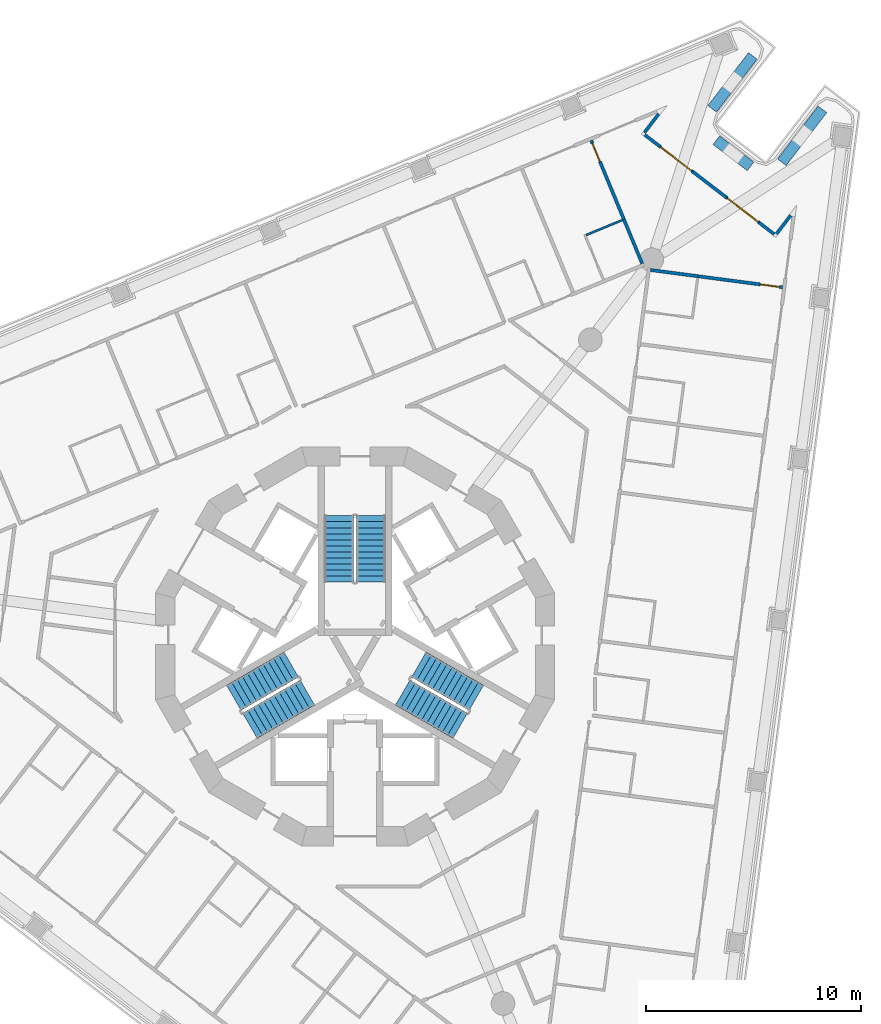
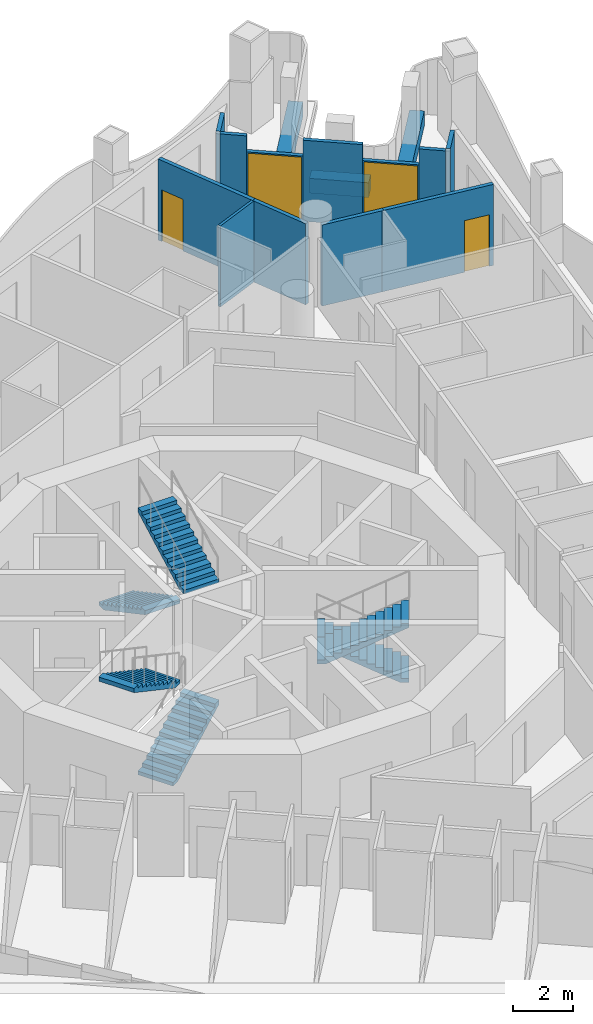
# One storey, part 10 of 17: 15 walls, 6 stair flights, 4 doors, 4 openings, 3 elements without a shape of their own.
"""IFC4 building model written with IfcOpenShell, lengths in metres."""

from ifc_helpers import new_model, si_unit, direction, frame, frame_2d, origin, place, context, subcontext, project, spatial, polyline, rectangle, outline, extrude, material, layer, layer_set, type_object, element, fill, aggregate, save


model = new_model("IFC4")

# Units and contexts
model_context = context("Model", 3, precision=1e-05, world=origin(), true_north=direction((0.0, 1.0)))
body_context = subcontext(model_context, "Body", "Model", "MODEL_VIEW")
ifc_project = project(units=[si_unit("LENGTHUNIT", "METRE"), si_unit("AREAUNIT", "SQUARE_METRE"), si_unit("VOLUMEUNIT", "CUBIC_METRE"), si_unit("PLANEANGLEUNIT", "RADIAN"), si_unit("MASSUNIT", "GRAM", prefix="KILO")], contexts=[model_context])

# Site, building, storey
site_placement = place(None, origin())
site = spatial("IfcSite", under=ifc_project, at=site_placement, CompositionType="ELEMENT")
building_placement = place(site_placement, origin())
building = spatial("IfcBuilding", under=site, at=building_placement, Name="Trine Commons Tower", CompositionType="ELEMENT")
storey_placement = place(building_placement, frame((0.0, 0.0, 149.39990234375)))
storey = spatial("IfcBuildingStorey", under=building, at=storey_placement, Name="L38", CompositionType="ELEMENT", Elevation=149.39990234375)

# Walls
ifc_material_1 = material(Name="Aluminium-framed insulated wall panel", Category="aluminium")
ifc_layer_1 = layer(ifc_material_1, 0.14990234375)
ifc_layer_set_1 = layer_set([ifc_layer_1], Name="Aluminium-framed insulated wall panel")
wall_type_1 = type_object("IfcWallType", Name="Glazed frame wall 150, EI 60", PredefinedType="SOLIDWALL", material=ifc_layer_set_1)
wall_1_placement = place(storey_placement, frame((94.193115234375, 87.345703125, 0.0), z_axis=(0.0, 0.0, 1.0), x_axis=(-0.608762998157, -0.793352136239, 0.0)))
element("IfcWall", 1, at=wall_1_placement, inside=storey, type_object=wall_type_1, Name="Glazed frame wall R5", PredefinedType="SOLIDWALL", context=body_context, shape_type="SweptSolid", body=[
    extrude(outline(polyline([(0.1494140625, 0.074951171875), (0.1494140625, -0.074951171875), (1.235107421875, -0.074951171875), (1.235107421875, 0.074951171875), (0.1494140625, 0.074951171875)])), origin(), (0.0, 0.0, 1.0), 3.300048828125),
])
wall_2_placement = place(storey_placement, frame((93.36767578125, 86.32763671875, 0.0), z_axis=(0.0, 0.0, 1.0), x_axis=(0.793331259853, -0.608790203715, 0.0)))
element("IfcWall", 2, at=wall_2_placement, inside=storey, type_object=wall_type_1, Name="Glazed frame wall P2.1", PredefinedType="SOLIDWALL", context=body_context, shape_type="SweptSolid", body=[
    extrude(outline(polyline([(0.110107421875, -0.074951171875), (1.0, -0.074951171875), (1.0, 0.074951171875), (0.110107421875, 0.074951171875), (0.110107421875, -0.074951171875)])), origin(), (0.0, 0.0, 1.0), 3.300048828125),
])

# Wall, opening, door
wall_3_placement = place(storey_placement, frame((94.1611328125, 85.71875, 0.0), z_axis=(0.0, 0.0, 1.0), x_axis=(0.793382932281, -0.608722862036, 0.0)))
wall_3 = element("IfcWall", 3, at=wall_3_placement, inside=storey, type_object=wall_type_1, Name="Glazed frame wall P2.2", PredefinedType="SOLIDWALL", context=body_context, shape_type="SweptSolid", body=[
    extrude(outline(polyline([(0.0, -0.074951171875), (1.89990234375, -0.074951171875), (1.89990234375, 0.074951171875), (0.0, 0.074951171875), (0.0, -0.074951171875)])), origin(), (0.0, 0.0, 1.0), 2.650146484375),
])
opening_1_placement = place(wall_3_placement, frame((0.050048828125, 0.0, 0.0)))
opening_1 = element("IfcOpeningElement", 4, at=opening_1_placement, cuts=wall_3, Name="Opening BD-4P2-01", PredefinedType="OPENING", context=body_context, shape_type="SweptSolid", body=[
    extrude(rectangle(XDim=1.800048828125, YDim=2.60009765625, at=frame_2d((0.89990234375, 1.300048828125))), frame((0.0, 0.0849609375, 0.0), z_axis=(0.0, -1.0, 0.0), x_axis=(1.0, 0.0, 0.0)), (0.0, 0.0, 1.0), 0.169921875),
])
ifc_material_2 = material(Name="Anodised aluminium frame with double glazing", Category="aluminium")
door_type_1 = type_object("IfcDoorType", Name="Sliding loggia door 1800x2600", OperationType="SLIDING_TO_LEFT", PredefinedType="DOOR", material=ifc_material_2)
door_1_placement = place(opening_1_placement, origin())
door_1 = element("IfcDoor", 5, at=door_1_placement, inside=storey, type_object=door_type_1, Name="Loggia door P2 1", OperationType="SLIDING_TO_LEFT", OverallHeight=2.60009765625, OverallWidth=1.800048828125, PredefinedType="DOOR", context=body_context, shape_type="SweptSolid", body=[
    extrude(rectangle(XDim=1.800048828125, YDim=2.60009765625, at=frame_2d((0.89990234375, 1.300048828125))), frame((0.0, 0.02490234375, 0.0), z_axis=(0.0, -1.0, 0.0), x_axis=(1.0, 0.0, 0.0)), (0.0, 0.0, 1.0), 0.050048828125),
])
fill(opening_1, door_1)

# Wall
wall_4_placement = place(storey_placement, frame((95.66845703125, 84.562255859375, 0.0), z_axis=(0.0, 0.0, 1.0), x_axis=(0.793344974033, -0.608772331974, 0.0)))
element("IfcWall", 6, at=wall_4_placement, inside=storey, type_object=wall_type_1, Name="Glazed frame wall P2.3", PredefinedType="SOLIDWALL", context=body_context, shape_type="SweptSolid", body=[
    extrude(outline(polyline([(0.0, -0.074951171875), (2.0, -0.074951171875), (2.0, 0.074951171875), (0.0, 0.074951171875), (0.0, -0.074951171875)])), origin(), (0.0, 0.0, 1.0), 3.300048828125),
])

# Wall, opening, door
wall_5_placement = place(storey_placement, frame((97.255126953125, 83.3447265625, 0.0), z_axis=(0.0, 0.0, 1.0), x_axis=(0.793320872023, -0.608803740143, 0.0)))
wall_5 = element("IfcWall", 7, at=wall_5_placement, inside=storey, type_object=wall_type_1, Name="Glazed frame wall P2.4", PredefinedType="SOLIDWALL", context=body_context, shape_type="SweptSolid", body=[
    extrude(outline(polyline([(0.0, -0.074951171875), (1.89990234375, -0.074951171875), (1.89990234375, 0.074951171875), (0.0, 0.074951171875), (0.0, -0.074951171875)])), origin(), (0.0, 0.0, 1.0), 2.650146484375),
])
opening_2_placement = place(wall_5_placement, frame((0.050048828125, 0.0, 0.0)))
opening_2 = element("IfcOpeningElement", 8, at=opening_2_placement, cuts=wall_5, Name="Opening BD-4P2-02", PredefinedType="OPENING", context=body_context, shape_type="SweptSolid", body=[
    extrude(rectangle(XDim=1.800048828125, YDim=2.60009765625, at=frame_2d((0.89990234375, 1.300048828125))), frame((0.0, 0.0849609375, 0.0), z_axis=(0.0, -1.0, 0.0), x_axis=(1.0, 0.0, 0.0)), (0.0, 0.0, 1.0), 0.169921875),
])
door_2_placement = place(opening_2_placement, origin())
door_2 = element("IfcDoor", 9, at=door_2_placement, inside=storey, type_object=door_type_1, Name="Loggia door P2 2", OperationType="SLIDING_TO_LEFT", OverallHeight=2.60009765625, OverallWidth=1.800048828125, PredefinedType="DOOR", context=body_context, shape_type="SweptSolid", body=[
    extrude(rectangle(XDim=1.800048828125, YDim=2.60009765625, at=frame_2d((0.89990234375, 1.300048828125))), frame((0.0, 0.02490234375, 0.0), z_axis=(0.0, -1.0, 0.0), x_axis=(1.0, 0.0, 0.0)), (0.0, 0.0, 1.0), 0.050048828125),
])
fill(opening_2, door_2)

# Walls
wall_6_placement = place(storey_placement, frame((98.762451171875, 82.18798828125, 0.0), z_axis=(0.0, 0.0, 1.0), x_axis=(0.793449156962, -0.60863653794, 0.0)))
element("IfcWall", 10, at=wall_6_placement, inside=storey, type_object=wall_type_1, Name="Glazed frame wall P2.5", PredefinedType="SOLIDWALL", context=body_context, shape_type="SweptSolid", body=[
    extrude(outline(polyline([(0.889892578125, 0.074951171875), (0.0, 0.074951171875), (0.0, -0.074951171875), (0.889892578125, -0.074951171875), (0.889892578125, 0.074951171875)])), origin(), (0.0, 0.0, 1.0), 3.300048828125),
])
wall_7_placement = place(storey_placement, frame((99.5068359375, 81.57275390625, 0.0), z_axis=(0.0, 0.0, 1.0), x_axis=(0.608762998157, 0.793352136239, 0.0)))
element("IfcWall", 11, at=wall_7_placement, inside=storey, type_object=wall_type_1, Name="Glazed frame wall R7", PredefinedType="SOLIDWALL", context=body_context, shape_type="SweptSolid", body=[
    extrude(outline(polyline([(0.110107421875, 0.074951171875), (0.110107421875, -0.074951171875), (1.19580078125, -0.074951171875), (1.19580078125, 0.074951171875), (0.110107421875, 0.074951171875)])), origin(), (0.0, 0.0, 1.0), 3.300048828125),
])
ifc_material_3 = material(Name="Planter trough, precast concrete C40/50", Category="concrete")
ifc_layer_2 = layer(ifc_material_3, 0.5)
ifc_layer_set_2 = layer_set([ifc_layer_2], Name="Planter trough, precast concrete C40/50")
wall_type_2 = type_object("IfcWallType", Name="Planter trough 500x600", PredefinedType="PARAPET", material=ifc_layer_set_2)
wall_8_placement = place(storey_placement, frame((98.474609375, 89.927490234375, 0.0), z_axis=(0.0, 0.0, 1.0), x_axis=(-0.608796883945, -0.793326133503, 0.0)))
element("IfcWall", 12, at=wall_8_placement, inside=storey, type_object=wall_type_2, Name="Planter 4", PredefinedType="PARAPET", context=body_context, shape_type="SweptSolid", body=[
    extrude(rectangle(XDim=3.099853515625, YDim=0.5, at=frame_2d((1.5498046875, 0.0))), origin(), (0.0, 0.0, 1.0), 0.60009765625),
])
wall_9_placement = place(storey_placement, frame((96.779296875, 86.010009765625, 0.0), z_axis=(0.0, 0.0, 1.0), x_axis=(0.793390207748, -0.608713379391, 0.0)))
element("IfcWall", 13, at=wall_9_placement, inside=storey, type_object=wall_type_2, Name="Planter 5", PredefinedType="PARAPET", context=body_context, shape_type="SweptSolid", body=[
    extrude(rectangle(XDim=2.000244140625, YDim=0.5, at=frame_2d((1.0, 0.0))), origin(), (0.0, 0.0, 1.0), 0.60009765625),
])
wall_10_placement = place(storey_placement, frame((99.82421875, 84.984619140625, 0.0), z_axis=(0.0, 0.0, 1.0), x_axis=(0.608796883945, 0.793326133503, 0.0)))
element("IfcWall", 14, at=wall_10_placement, inside=storey, type_object=wall_type_2, Name="Planter 6", PredefinedType="PARAPET", context=body_context, shape_type="SweptSolid", body=[
    extrude(rectangle(XDim=3.099853515625, YDim=0.5, at=frame_2d((1.5498046875, 0.0))), origin(), (0.0, 0.0, 1.0), 0.60009765625),
])

# Wall, opening, door
ifc_material_4 = material(Name="Gypsum plasterboard on steel stud", Category="steel")
ifc_layer_3 = layer(ifc_material_4, 0.14990234375)
ifc_layer_set_3 = layer_set([ifc_layer_3], Name="Gypsum plasterboard on steel stud")
wall_type_3 = type_object("IfcWallType", Name="Unit and corridor wall 150 mm, EI 60", PredefinedType="PARTITIONING", material=ifc_layer_set_3)
wall_11_placement = place(storey_placement, frame((90.96826171875, 85.9990234375, 0.0), z_axis=(0.0, 0.0, 1.0), x_axis=(0.382692977479, -0.923875578738, 0.0)))
wall_11 = element("IfcWall", 15, at=wall_11_placement, inside=storey, type_object=wall_type_3, Name="Partition 122", PredefinedType="PARTITIONING", context=body_context, shape_type="SweptSolid", body=[
    extrude(rectangle(XDim=4.023681640625, YDim=0.14990234375, at=frame_2d((2.01171875, 0.0))), origin(), (0.0, 0.0, 1.0), 3.300048828125),
])
opening_3_placement = place(wall_11_placement, frame((0.14990234375, 0.0, 0.0)))
opening_3 = element("IfcOpeningElement", 16, at=opening_3_placement, cuts=wall_11, Name="Opening D-4C13", PredefinedType="OPENING", context=body_context, shape_type="SweptSolid", body=[
    extrude(rectangle(XDim=0.89990234375, YDim=2.10009765625, at=frame_2d((0.449951171875, 1.050048828125))), frame((0.0, 0.0849609375, 0.0), z_axis=(0.0, -1.0, 0.0), x_axis=(1.0, 0.0, 0.0)), (0.0, 0.0, 1.0), 0.169921875),
])
ifc_material_5 = material(Name="Timber fire door set", Category="wood")
door_type_2 = type_object("IfcDoorType", Name="Bedroom door 900 x 2100, FD30S", OperationType="NOTDEFINED", PredefinedType="DOOR", material=ifc_material_5)
door_3_placement = place(opening_3_placement, frame((0.89990234375, 0.0, 0.0), z_axis=(0.0, 0.0, 1.0), x_axis=(-1.0, 0.0, 0.0)))
door_3 = element("IfcDoor", 17, at=door_3_placement, inside=storey, type_object=door_type_2, Name="Door D-4C13", OperationType="SINGLE_SWING_RIGHT", OverallHeight=2.10009765625, OverallWidth=0.89990234375, PredefinedType="DOOR", context=body_context, shape_type="SweptSolid", body=[
    extrude(rectangle(XDim=0.89990234375, YDim=2.10009765625, at=frame_2d((0.449951171875, 1.050048828125))), frame((0.0, 0.02490234375, 0.0), z_axis=(0.0, -1.0, 0.0), x_axis=(1.0, 0.0, 0.0)), (0.0, 0.0, 1.0), 0.050048828125),
])
fill(opening_3, door_3)

# Walls
wall_12_placement = place(storey_placement, frame((92.486083984375, 82.3359375, 0.0), z_axis=(0.0, 0.0, 1.0), x_axis=(0.382374366103, -0.924007491391, 0.0)))
element("IfcWall", 18, at=wall_12_placement, inside=storey, type_object=wall_type_3, Name="Partition 135", PredefinedType="PARTITIONING", context=body_context, shape_type="SweptSolid", body=[
    extrude(rectangle(XDim=2.22900390625, YDim=0.14990234375, at=frame_2d((1.114501953125, 0.0))), origin(), (0.0, 0.0, 1.0), 3.300048828125),
])
wall_13_placement = place(storey_placement, frame((93.718505859375, 79.984130859375, 0.0), z_axis=(0.0, 0.0, 1.0), x_axis=(0.991444602233, -0.130528160577, 0.0)))
element("IfcWall", 19, at=wall_13_placement, inside=storey, type_object=wall_type_3, Name="Partition 146", PredefinedType="PARTITIONING", context=body_context, shape_type="SweptSolid", body=[
    extrude(rectangle(XDim=2.2294921875, YDim=0.14990234375, at=frame_2d((1.11474609375, 0.0))), origin(), (0.0, 0.0, 1.0), 3.300048828125),
])

# Wall, opening, door
wall_14_placement = place(storey_placement, frame((95.871337890625, 79.700439453125, 0.0), z_axis=(0.0, 0.0, 1.0), x_axis=(0.991472672227, -0.130314773632, 0.0)))
wall_14 = element("IfcWall", 20, at=wall_14_placement, inside=storey, type_object=wall_type_3, Name="Partition 151", PredefinedType="PARTITIONING", context=body_context, shape_type="SweptSolid", body=[
    extrude(rectangle(XDim=4.022216796875, YDim=0.14990234375, at=frame_2d((2.01123046875, 0.0))), origin(), (0.0, 0.0, 1.0), 3.300048828125),
])
opening_4_placement = place(wall_14_placement, frame((2.972412109375, 0.0, 0.0)))
opening_4 = element("IfcOpeningElement", 21, at=opening_4_placement, cuts=wall_14, Name="Opening D-4C14", PredefinedType="OPENING", context=body_context, shape_type="SweptSolid", body=[
    extrude(rectangle(XDim=0.89990234375, YDim=2.10009765625, at=frame_2d((0.449951171875, 1.050048828125))), frame((0.0, 0.0849609375, 0.0), z_axis=(0.0, -1.0, 0.0), x_axis=(1.0, 0.0, 0.0)), (0.0, 0.0, 1.0), 0.169921875),
])
door_4_placement = place(opening_4_placement, frame((0.89990234375, 0.0, 0.0), z_axis=(0.0, 0.0, 1.0), x_axis=(-1.0, 0.0, 0.0)))
door_4 = element("IfcDoor", 22, at=door_4_placement, inside=storey, type_object=door_type_2, Name="Door D-4C14", OperationType="SINGLE_SWING_LEFT", OverallHeight=2.10009765625, OverallWidth=0.89990234375, PredefinedType="DOOR", context=body_context, shape_type="SweptSolid", body=[
    extrude(rectangle(XDim=0.89990234375, YDim=2.10009765625, at=frame_2d((0.449951171875, 1.050048828125))), frame((0.0, 0.02490234375, 0.0), z_axis=(0.0, -1.0, 0.0), x_axis=(1.0, 0.0, 0.0)), (0.0, 0.0, 1.0), 0.050048828125),
])
fill(opening_4, door_4)

# Wall
ifc_layer_4 = layer(ifc_material_4, 0.10009765625)
ifc_layer_set_4 = layer_set([ifc_layer_4], Name="Gypsum plasterboard on steel stud")
wall_type_4 = type_object("IfcWallType", Name="Unit partition 100 mm, no rating", PredefinedType="PARTITIONING", material=ifc_layer_set_4)
wall_15_placement = place(storey_placement, frame((90.731201171875, 81.60498046875, 0.0), z_axis=(0.0, 0.0, 1.0), x_axis=(0.923945120737, 0.382525049986, 0.0)))
element("IfcWall", 23, at=wall_15_placement, inside=storey, type_object=wall_type_4, Name="Partition 119", PredefinedType="PARTITIONING", context=body_context, shape_type="SweptSolid", body=[
    extrude(rectangle(XDim=1.825439453125, YDim=0.10009765625, at=frame_2d((0.91259765625, 0.0))), origin(), (0.0, 0.0, 1.0), 3.300048828125),
])

# Stair, stair flights
ifc_material_6 = material(Name="Concrete C50/60", Category="concrete")
stair_type = type_object("IfcStairType", Name="Exit stair, dog-leg, 24 risers of 150 mm", PredefinedType="HALF_TURN_STAIR", material=ifc_material_6)
stair_1_placement = place(storey_placement, origin())
stair_1 = element("IfcStair", 24, at=stair_1_placement, inside=storey, type_object=stair_type, Name="L38 Exit stair ST1B", PredefinedType="HALF_TURN_STAIR")
stair_flight_type = type_object("IfcStairFlightType", Name="Stair flight, 1350 wide, 12 risers of 150 mm", PredefinedType="STRAIGHT", material=ifc_material_6)
stair_flight_1_placement = place(storey_placement, frame((79.25, 68.570556640625, 0.0), z_axis=(0.0, 0.0, 1.0), x_axis=(0.0, -1.0, 0.0)))
stair_flight_1 = element("IfcStairFlight", 25, at=stair_flight_1_placement, type_object=stair_flight_type, Name="ST1B flight 1", NumberOfRisers=12, NumberOfTreads=11, PredefinedType="STRAIGHT", RiserHeight=0.15, TreadLength=0.28, context=body_context, shape_type="SweptSolid", body=[
    extrude(outline(polyline([(0.0, 0.0), (0.0, 0.14990234375), (0.280029296875, 0.14990234375), (0.280029296875, 0.300048828125), (0.56005859375, 0.300048828125), (0.56005859375, 0.449951171875), (0.840087890625, 0.449951171875), (0.840087890625, 0.60009765625), (1.1201171875, 0.60009765625), (1.1201171875, 0.75), (1.39990234375, 0.75), (1.39990234375, 0.89990234375), (1.679931640625, 0.89990234375), (1.679931640625, 1.050048828125), (1.9599609375, 1.050048828125), (1.9599609375, 1.199951171875), (2.239990234375, 1.199951171875), (2.239990234375, 1.35009765625), (2.52001953125, 1.35009765625), (2.52001953125, 1.5), (2.800048828125, 1.5), (2.800048828125, 1.64990234375), (3.080078125, 1.64990234375), (3.080078125, 1.800048828125), (3.080078125, 1.47998046875), (0.3173828125, 0.0), (0.0, 0.0)])), frame((0.0, 0.675048828125, 0.0), z_axis=(0.0, -1.0, 0.0), x_axis=(1.0, 0.0, 0.0)), (0.0, 0.0, 1.0), 1.35009765625),
])
stair_flight_2_placement = place(storey_placement, frame((80.75, 65.490478515625, 1.800048828125), z_axis=(0.0, 0.0, 1.0), x_axis=(0.0, 1.0, 0.0)))
stair_flight_2 = element("IfcStairFlight", 26, at=stair_flight_2_placement, type_object=stair_flight_type, Name="ST1B flight 2", NumberOfRisers=12, NumberOfTreads=11, PredefinedType="STRAIGHT", RiserHeight=0.15, TreadLength=0.28, context=body_context, shape_type="SweptSolid", body=[
    extrude(outline(polyline([(0.0, 0.0), (0.0, 0.14990234375), (0.280029296875, 0.14990234375), (0.280029296875, 0.300048828125), (0.56005859375, 0.300048828125), (0.56005859375, 0.449951171875), (0.840087890625, 0.449951171875), (0.840087890625, 0.60009765625), (1.1201171875, 0.60009765625), (1.1201171875, 0.75), (1.39990234375, 0.75), (1.39990234375, 0.89990234375), (1.679931640625, 0.89990234375), (1.679931640625, 1.050048828125), (1.9599609375, 1.050048828125), (1.9599609375, 1.199951171875), (2.239990234375, 1.199951171875), (2.239990234375, 1.35009765625), (2.52001953125, 1.35009765625), (2.52001953125, 1.5), (2.800048828125, 1.5), (2.800048828125, 1.64990234375), (3.080078125, 1.64990234375), (3.080078125, 1.800048828125), (3.080078125, 1.47998046875), (0.3173828125, 0.0), (0.0, 0.0)])), frame((0.0, 0.675048828125, 0.0), z_axis=(0.0, -1.0, 0.0), x_axis=(1.0, 0.0, 0.0)), (0.0, 0.0, 1.0), 1.35009765625),
])
aggregate(stair_1, [stair_flight_1, stair_flight_2])

stair_2_placement = place(storey_placement, origin())
stair_2 = element("IfcStair", 27, at=stair_2_placement, inside=storey, type_object=stair_type, Name="L38 Exit stair ST2B", PredefinedType="HALF_TURN_STAIR")
stair_flight_3_placement = place(storey_placement, frame((75.11767578125, 58.815185546875, 0.0), z_axis=(0.0, 0.0, 1.0), x_axis=(0.866025403784, 0.5, 0.0)))
stair_flight_3 = element("IfcStairFlight", 28, at=stair_flight_3_placement, type_object=stair_flight_type, Name="ST2B flight 1", NumberOfRisers=12, NumberOfTreads=11, PredefinedType="STRAIGHT", RiserHeight=0.15, TreadLength=0.28, context=body_context, shape_type="SweptSolid", body=[
    extrude(outline(polyline([(0.0, 0.0), (0.0, 0.14990234375), (0.280029296875, 0.14990234375), (0.280029296875, 0.300048828125), (0.56005859375, 0.300048828125), (0.56005859375, 0.449951171875), (0.840087890625, 0.449951171875), (0.840087890625, 0.60009765625), (1.1201171875, 0.60009765625), (1.1201171875, 0.75), (1.39990234375, 0.75), (1.39990234375, 0.89990234375), (1.679931640625, 0.89990234375), (1.679931640625, 1.050048828125), (1.9599609375, 1.050048828125), (1.9599609375, 1.199951171875), (2.239990234375, 1.199951171875), (2.239990234375, 1.35009765625), (2.52001953125, 1.35009765625), (2.52001953125, 1.5), (2.800048828125, 1.5), (2.800048828125, 1.64990234375), (3.080078125, 1.64990234375), (3.080078125, 1.800048828125), (3.080078125, 1.47998046875), (0.3173828125, 0.0), (0.0, 0.0)])), frame((0.0, 0.675048828125, 0.0), z_axis=(0.0, -1.0, 0.0), x_axis=(1.0, 0.0, 0.0)), (0.0, 0.0, 1.0), 1.35009765625),
])
stair_flight_4_placement = place(storey_placement, frame((77.03515625, 61.654296875, 1.800048828125), z_axis=(0.0, 0.0, 1.0), x_axis=(-0.866025403784, -0.5, 0.0)))
stair_flight_4 = element("IfcStairFlight", 29, at=stair_flight_4_placement, type_object=stair_flight_type, Name="ST2B flight 2", NumberOfRisers=12, NumberOfTreads=11, PredefinedType="STRAIGHT", RiserHeight=0.15, TreadLength=0.28, context=body_context, shape_type="SweptSolid", body=[
    extrude(outline(polyline([(0.0, 0.0), (0.0, 0.14990234375), (0.280029296875, 0.14990234375), (0.280029296875, 0.300048828125), (0.56005859375, 0.300048828125), (0.56005859375, 0.449951171875), (0.840087890625, 0.449951171875), (0.840087890625, 0.60009765625), (1.1201171875, 0.60009765625), (1.1201171875, 0.75), (1.39990234375, 0.75), (1.39990234375, 0.89990234375), (1.679931640625, 0.89990234375), (1.679931640625, 1.050048828125), (1.9599609375, 1.050048828125), (1.9599609375, 1.199951171875), (2.239990234375, 1.199951171875), (2.239990234375, 1.35009765625), (2.52001953125, 1.35009765625), (2.52001953125, 1.5), (2.800048828125, 1.5), (2.800048828125, 1.64990234375), (3.080078125, 1.64990234375), (3.080078125, 1.800048828125), (3.080078125, 1.47998046875), (0.3173828125, 0.0), (0.0, 0.0)])), frame((0.0, 0.675048828125, 0.0), z_axis=(0.0, -1.0, 0.0), x_axis=(1.0, 0.0, 0.0)), (0.0, 0.0, 1.0), 1.35009765625),
])
aggregate(stair_2, [stair_flight_3, stair_flight_4])

stair_3_placement = place(storey_placement, origin())
stair_3 = element("IfcStair", 30, at=stair_3_placement, inside=storey, type_object=stair_type, Name="L38 Exit stair ST3B", PredefinedType="HALF_TURN_STAIR")
stair_flight_5_placement = place(storey_placement, frame((85.63232421875, 60.1142578125, 0.0), z_axis=(0.0, 0.0, 1.0), x_axis=(-0.866025403784, 0.5, 0.0)))
stair_flight_5 = element("IfcStairFlight", 31, at=stair_flight_5_placement, type_object=stair_flight_type, Name="ST3B flight 1", NumberOfRisers=12, NumberOfTreads=11, PredefinedType="STRAIGHT", RiserHeight=0.15, TreadLength=0.28, context=body_context, shape_type="SweptSolid", body=[
    extrude(outline(polyline([(0.0, 0.0), (0.0, 0.14990234375), (0.280029296875, 0.14990234375), (0.280029296875, 0.300048828125), (0.56005859375, 0.300048828125), (0.56005859375, 0.449951171875), (0.840087890625, 0.449951171875), (0.840087890625, 0.60009765625), (1.1201171875, 0.60009765625), (1.1201171875, 0.75), (1.39990234375, 0.75), (1.39990234375, 0.89990234375), (1.679931640625, 0.89990234375), (1.679931640625, 1.050048828125), (1.9599609375, 1.050048828125), (1.9599609375, 1.199951171875), (2.239990234375, 1.199951171875), (2.239990234375, 1.35009765625), (2.52001953125, 1.35009765625), (2.52001953125, 1.5), (2.800048828125, 1.5), (2.800048828125, 1.64990234375), (3.080078125, 1.64990234375), (3.080078125, 1.800048828125), (3.080078125, 1.47998046875), (0.3173828125, 0.0), (0.0, 0.0)])), frame((0.0, 0.675048828125, 0.0), z_axis=(0.0, -1.0, 0.0), x_axis=(1.0, 0.0, 0.0)), (0.0, 0.0, 1.0), 1.35009765625),
])
stair_flight_6_placement = place(storey_placement, frame((82.21484375, 60.355224609375, 1.800048828125), z_axis=(0.0, 0.0, 1.0), x_axis=(0.866025403784, -0.5, 0.0)))
stair_flight_6 = element("IfcStairFlight", 32, at=stair_flight_6_placement, type_object=stair_flight_type, Name="ST3B flight 2", NumberOfRisers=12, NumberOfTreads=11, PredefinedType="STRAIGHT", RiserHeight=0.15, TreadLength=0.28, context=body_context, shape_type="SweptSolid", body=[
    extrude(outline(polyline([(0.0, 0.0), (0.0, 0.14990234375), (0.280029296875, 0.14990234375), (0.280029296875, 0.300048828125), (0.56005859375, 0.300048828125), (0.56005859375, 0.449951171875), (0.840087890625, 0.449951171875), (0.840087890625, 0.60009765625), (1.1201171875, 0.60009765625), (1.1201171875, 0.75), (1.39990234375, 0.75), (1.39990234375, 0.89990234375), (1.679931640625, 0.89990234375), (1.679931640625, 1.050048828125), (1.9599609375, 1.050048828125), (1.9599609375, 1.199951171875), (2.239990234375, 1.199951171875), (2.239990234375, 1.35009765625), (2.52001953125, 1.35009765625), (2.52001953125, 1.5), (2.800048828125, 1.5), (2.800048828125, 1.64990234375), (3.080078125, 1.64990234375), (3.080078125, 1.800048828125), (3.080078125, 1.47998046875), (0.3173828125, 0.0), (0.0, 0.0)])), frame((0.0, 0.675048828125, 0.0), z_axis=(0.0, -1.0, 0.0), x_axis=(1.0, 0.0, 0.0)), (0.0, 0.0, 1.0), 1.35009765625),
])
aggregate(stair_3, [stair_flight_5, stair_flight_6])

save(model, "model.ifc")
